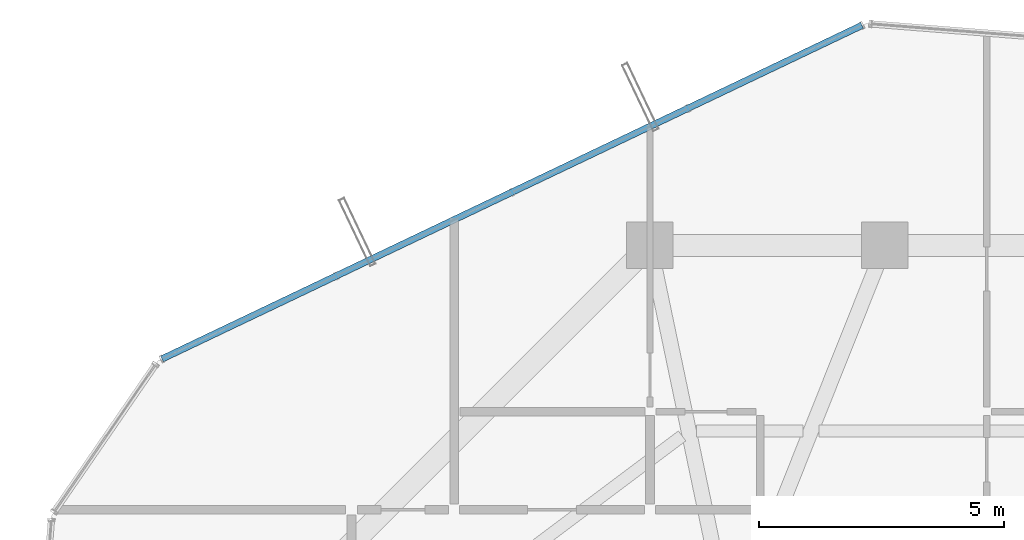
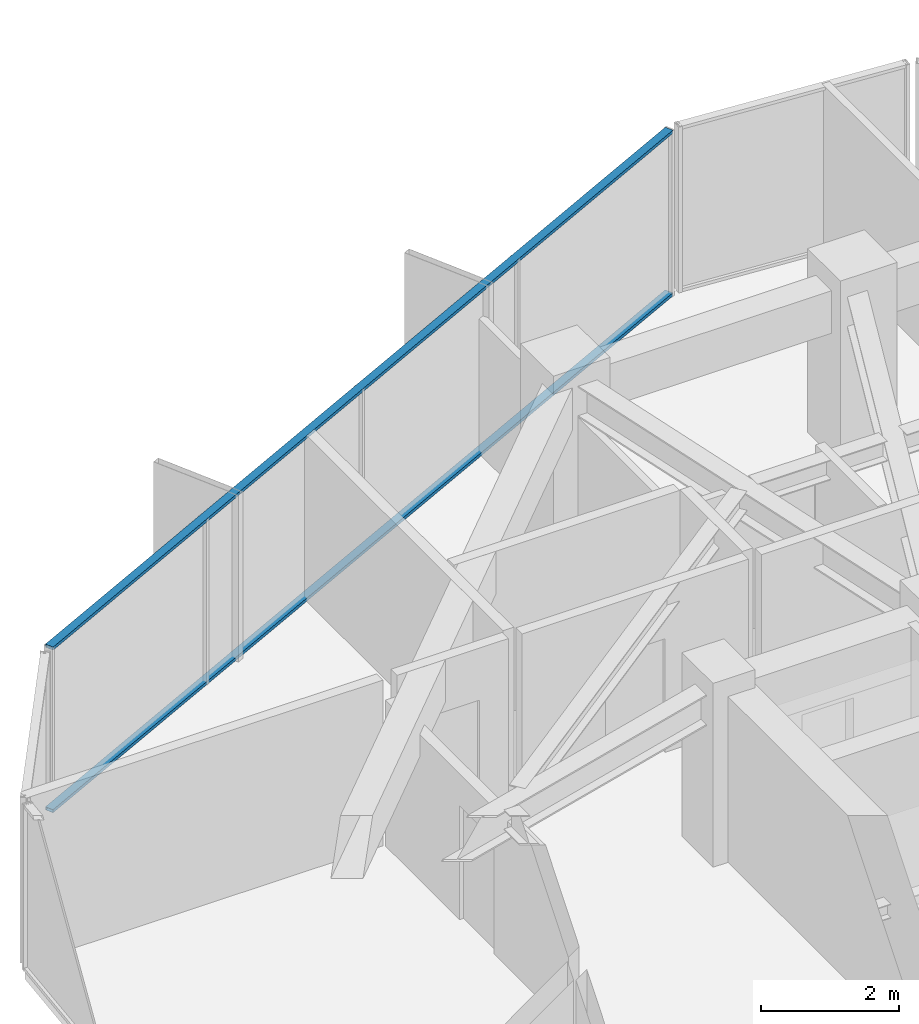
# One storey, part 19 of 29: 2 members, 1 element without a shape of its own.
"""IFC4 building model written with IfcOpenShell, lengths in metres."""

import ifcopenshell
import ifcopenshell.guid

model = None  # the IFC model being written
_history = None  # IfcOwnerHistory: only IFC2X3 demands one
_inside = {}  # id of a spatial element -> (the spatial element, [elements in it])
_under = {}  # id of a project, library or spatial element -> (it, [spatial elements below it])
_declared = {}  # id of a project -> (the project, [libraries it declares])
_typed = {}  # id of a type object -> (the type object, [elements of that type])
_made_of = {}  # id of a material, layer set ... -> (it, [elements and type objects made of it])


def new_model(schema):
    """Start an empty IFC model of exactly this schema.

    Asked for "IFC4X3", IfcOpenShell would pick the latest addendum, in which some entities
    have other attributes; the version numbers below select the first issue.
    IFC2X3 requires an IfcOwnerHistory on every rooted entity: one is made here for all.
    """
    global model, _history
    if schema == "IFC4X3":
        model = ifcopenshell.file(schema_version=(4, 3, 0, 0))
    else:
        model = ifcopenshell.file(schema=schema)
    _inside.clear()
    _under.clear()
    _declared.clear()
    _typed.clear()
    _made_of.clear()
    _history = None
    if model.schema == "IFC2X3":
        org = make("IfcOrganization", Name="unknown")
        user = make(
            "IfcPersonAndOrganization",
            ThePerson=make("IfcPerson", FamilyName="unknown"),
            TheOrganization=org,
        )
        app = make(
            "IfcApplication",
            ApplicationDeveloper=org,
            Version="unknown",
            ApplicationFullName="unknown",
            ApplicationIdentifier="unknown",
        )
        _history = make(
            "IfcOwnerHistory",
            OwningUser=user,
            OwningApplication=app,
            ChangeAction="ADDED",
            CreationDate=0,
        )
    return model


def make(cls, **values):
    """One entity of the class cls with the attributes given. An attribute that is None is left unset."""
    return model.create_entity(
        cls, **{name: value for name, value in values.items() if value is not None}
    )


def rooted(cls, **values):
    """An entity with a GlobalId (a new one), such as an element, a storey or a relation."""
    return make(cls, GlobalId=ifcopenshell.guid.new(), OwnerHistory=_history, **values)


def si_unit(unit_type, name, prefix=None):
    """IfcSIUnit, for example si_unit("LENGTHUNIT", "METRE", prefix="MILLI")."""
    return make("IfcSIUnit", UnitType=unit_type, Prefix=prefix, Name=name)


def assignment(units):
    """IfcUnitAssignment: the units of a project."""
    return None if units is None else make("IfcUnitAssignment", Units=units)


def point(xyz):
    """IfcCartesianPoint."""
    return None if xyz is None else make("IfcCartesianPoint", Coordinates=xyz)


def direction(xyz):
    """IfcDirection."""
    return None if xyz is None else make("IfcDirection", DirectionRatios=xyz)


def frame(location, z_axis=None, x_axis=None):
    """IfcAxis2Placement3D, a coordinate frame: its origin and axes. An axis left out is left unset."""
    return make(
        "IfcAxis2Placement3D",
        Location=point(location),
        Axis=direction(z_axis),
        RefDirection=direction(x_axis),
    )


def frame_2d(location, x_axis=None):
    """IfcAxis2Placement2D, a coordinate frame in the plane: its origin and x axis."""
    return make(
        "IfcAxis2Placement2D", Location=point(location), RefDirection=direction(x_axis)
    )


def origin():
    """The frame at (0, 0, 0) with its axes left unset."""
    return frame((0.0, 0.0, 0.0))


def origin_2d():
    """The frame at (0, 0) in the plane with its x axis left unset."""
    return frame_2d((0.0, 0.0))


def place(relative_to, where):
    """IfcLocalPlacement: puts the frame where relative to a parent placement (None: the world)."""
    return make(
        "IfcLocalPlacement", PlacementRelTo=relative_to, RelativePlacement=where
    )


def context(
    kind, dimensions, precision=None, world=None, true_north=None, identifier=None
):
    """IfcGeometricRepresentationContext, for example the 3D "Model" context."""
    return make(
        "IfcGeometricRepresentationContext",
        ContextIdentifier=identifier,
        ContextType=kind,
        CoordinateSpaceDimension=dimensions,
        Precision=precision,
        WorldCoordinateSystem=world,
        TrueNorth=true_north,
    )


def subcontext(parent, identifier, kind, view, scale=None):
    """IfcGeometricRepresentationSubContext, for example "Body" below "Model"."""
    return make(
        "IfcGeometricRepresentationSubContext",
        ContextIdentifier=identifier,
        ContextType=kind,
        ParentContext=parent,
        TargetScale=scale,
        TargetView=view,
    )


def project(units=None, contexts=None):
    """IfcProject with its units and contexts."""
    return rooted(
        "IfcProject",
        Name="project",
        RepresentationContexts=contexts,
        UnitsInContext=assignment(units),
    )


def spatial(cls, under=None, at=None, **own):
    """A site, building, storey or space (cls), placed at a placement, below another one or the project."""
    s = rooted(cls, ObjectPlacement=at, **own)
    if under is not None:
        _under.setdefault(under.id(), (under, []))[1].append(s)
    return s


def profile(cls, at=None, kind="AREA", **sizes):
    """A parametric profile (cls). Its sizes go by their IFC names, for example OverallWidth=200.0."""
    return make(cls, ProfileType=kind, Position=at, **sizes)


def hollow_rectangle(**sizes):
    """IfcRectangleHollowProfileDef."""
    return profile("IfcRectangleHollowProfileDef", **sizes)


def extrude(swept, where, along, depth):
    """IfcExtrudedAreaSolid: the profile swept, set in the frame where, extruded along a direction by depth."""
    return make(
        "IfcExtrudedAreaSolid",
        SweptArea=swept,
        Position=where,
        ExtrudedDirection=direction(along),
        Depth=depth,
    )


def shape(context_of_items, identifier, shape_type, items):
    """IfcShapeRepresentation: the items that make up one representation, for example the "Body"."""
    return make(
        "IfcShapeRepresentation",
        ContextOfItems=context_of_items,
        RepresentationIdentifier=identifier,
        RepresentationType=shape_type,
        Items=items,
    )


def source(mapping_origin, context_of_items, identifier, shape_type, items):
    """IfcRepresentationMap: a shape defined once, which mapped items show again and again."""
    return make(
        "IfcRepresentationMap",
        MappingOrigin=mapping_origin,
        MappedRepresentation=shape(context_of_items, identifier, shape_type, items),
    )


def transform(
    local_origin,
    x_axis=None,
    y_axis=None,
    z_axis=None,
    scale=None,
    scale2=None,
    scale3=None,
    uniform=True,
):
    """IfcCartesianTransformationOperator3D, or its non-uniform kind. x_axis, y_axis, z_axis: its Axis1, 2, 3."""
    if uniform:
        return make(
            "IfcCartesianTransformationOperator3D",
            Axis1=direction(x_axis),
            Axis2=direction(y_axis),
            LocalOrigin=point(local_origin),
            Scale=scale,
            Axis3=direction(z_axis),
        )
    return make(
        "IfcCartesianTransformationOperator3DnonUniform",
        Axis1=direction(x_axis),
        Axis2=direction(y_axis),
        LocalOrigin=point(local_origin),
        Scale=scale,
        Axis3=direction(z_axis),
        Scale2=scale2,
        Scale3=scale3,
    )


def mapped(mapping_source, mapping_target):
    """IfcMappedItem: shows the shape of a source again, moved by a transform."""
    return make(
        "IfcMappedItem", MappingSource=mapping_source, MappingTarget=mapping_target
    )


def material(Name=None, Category=None):
    """IfcMaterial."""
    return make("IfcMaterial", Name=Name, Category=Category)


def layer(
    of_material, thickness, ventilated=None, Name=None, Category=None, Priority=None
):
    """IfcMaterialLayer: one layer of a wall or slab, of a material (None: an air gap)."""
    return make(
        "IfcMaterialLayer",
        Material=of_material,
        LayerThickness=thickness,
        IsVentilated=ventilated,
        Name=Name,
        Category=Category,
        Priority=Priority,
    )


def layer_set(layers, Name=None):
    """IfcMaterialLayerSet."""
    return make("IfcMaterialLayerSet", MaterialLayers=layers, LayerSetName=Name)


def material_profile(
    of_material, cross_section, Name=None, Category=None, Priority=None
):
    """IfcMaterialProfile: a cross section and its material."""
    return make(
        "IfcMaterialProfile",
        Name=Name,
        Material=of_material,
        Profile=cross_section,
        Priority=Priority,
        Category=Category,
    )


def profile_set(profiles, Name=None, composite=None):
    """IfcMaterialProfileSet."""
    return make(
        "IfcMaterialProfileSet",
        Name=Name,
        MaterialProfiles=profiles,
        CompositeProfile=composite,
    )


def made_of(thing, what):
    """Note that an element or type object is made of a material, layer set ...; save() writes the relation."""
    if what is not None:
        _made_of.setdefault(what.id(), (what, []))[1].append(thing)
    return thing


def type_object(cls, material=None, **own):
    """A type object (cls), such as IfcWallType, which elements share."""
    return made_of(rooted(cls, **own), material)


def element(
    cls,
    number,
    at=None,
    inside=None,
    cuts=None,
    type_object=None,
    material=None,
    context=None,
    identifier="Body",
    shape_type=None,
    held_by="IfcProductDefinitionShape",
    body=None,
    shapes=None,
    **own,
):
    """One element of the class cls, such as IfcWall. Its Tag is "e" and its number.

    at: its placement. inside: the storey or other place that contains it. cuts: it is an
    opening in that element (IfcRelVoidsElement). A single representation is given by context,
    identifier, shape_type and body (its items); several are given by shapes. held_by: the class
    of the entity that holds the representations. save() writes the other relations.
    """
    e = rooted(cls, Tag="e%d" % number, ObjectPlacement=at, **own)
    if body is not None:
        shapes = [shape(context, identifier, shape_type, body)]
    if shapes is not None:
        e.Representation = make(held_by, Representations=shapes)
    if inside is not None:
        _inside.setdefault(inside.id(), (inside, []))[1].append(e)
    if cuts is not None:
        rooted(
            "IfcRelVoidsElement", RelatingBuildingElement=cuts, RelatedOpeningElement=e
        )
    if type_object is not None:
        _typed.setdefault(type_object.id(), (type_object, []))[1].append(e)
    return made_of(e, material)


def aggregate(whole, parts):
    """IfcRelAggregates: a whole, such as a stair, and the parts it consists of."""
    return rooted("IfcRelAggregates", RelatingObject=whole, RelatedObjects=parts)


def save(model, path):
    """Write the relations noted so far, then the file.

    IfcRelAggregates (storeys below a building ...), IfcRelContainedInSpatialStructure (elements
    in a storey), IfcRelDefinesByType, IfcRelAssociatesMaterial and IfcRelDeclares: one each for
    every whole, place, type object, material and project.
    """
    for whole, parts in _under.values():
        aggregate(whole, parts)
    for where, things in _inside.values():
        rooted(
            "IfcRelContainedInSpatialStructure",
            RelatedElements=things,
            RelatingStructure=where,
        )
    for kind, things in _typed.values():
        rooted("IfcRelDefinesByType", RelatedObjects=things, RelatingType=kind)
    for what, things in _made_of.values():
        rooted("IfcRelAssociatesMaterial", RelatedObjects=things, RelatingMaterial=what)
    for by, libraries in _declared.values():
        rooted("IfcRelDeclares", RelatingContext=by, RelatedDefinitions=libraries)
    model.write(path)


model = new_model("IFC4")

# Units and contexts
model_context = context("Model", 3, precision=1e-05, world=origin(), true_north=direction((0.0, 1.0)))
body_context = subcontext(model_context, "Body", "Model", "MODEL_VIEW")
ifc_project = project(units=[si_unit("LENGTHUNIT", "METRE"), si_unit("AREAUNIT", "SQUARE_METRE"), si_unit("VOLUMEUNIT", "CUBIC_METRE"), si_unit("PLANEANGLEUNIT", "RADIAN"), si_unit("MASSUNIT", "GRAM", prefix="KILO")], contexts=[model_context])

# Site, building, storey
site_placement = place(None, origin())
site = spatial("IfcSite", under=ifc_project, at=site_placement, CompositionType="ELEMENT")
building_placement = place(site_placement, origin())
building = spatial("IfcBuilding", under=site, at=building_placement, Name="Veraguas Prism Commons", CompositionType="ELEMENT")
storey_placement = place(building_placement, frame((0.0, 0.0, 222.14990234375)))
storey = spatial("IfcBuildingStorey", under=building, at=storey_placement, Name="L63", CompositionType="ELEMENT", Elevation=222.14990234375)

# Curtain wall, members
ifc_material = material(Name="Anodised aluminium EN AW-6063 T6", Category="aluminium")
ifc_layer = layer(ifc_material, 0.14990234375, Name="Unitised Flush Curtain Wall Zone 3", Category="aluminium")
ifc_layer_set = layer_set([ifc_layer], Name="Anodised aluminium EN AW-6063 T6")
curtain_wall_type = type_object("IfcCurtainWallType", Name="Unitised Flush Curtain Wall Zone 3", PredefinedType="NOTDEFINED", material=ifc_layer_set)
curtain_wall_placement = place(storey_placement, origin())
curtain_wall = element("IfcCurtainWall", 1, at=curtain_wall_placement, inside=storey, type_object=curtain_wall_type, Name="Tower Facade Curtain Wall L63-F2", PredefinedType="NOTDEFINED")
ifc_material_profile = material_profile(ifc_material, hollow_rectangle(XDim=0.054931640625, YDim=0.135009765625, WallThickness=0.0029296875, at=origin_2d()), Name="AL55X135X3")
ifc_profile_set = profile_set([ifc_material_profile], Name="Anodised aluminium EN AW-6063 T6")
member_type = type_object("IfcMemberType", Name="Curtain Wall Transom Standard AL 55x135x3", PredefinedType="USERDEFINED", material=ifc_profile_set)
shared_shape = source(origin(), body_context, "Body", "SweptSolid", [
    extrude(hollow_rectangle(XDim=0.054931640625, YDim=0.135009765625, WallThickness=0.0029296875, at=origin_2d()), origin(), (0.0, 0.0, 1.0), 15.84228515625),
])
member_1_placement = place(storey_placement, frame((23.53173828125, 43.395263671875, 0.027587890625), z_axis=(-0.902730582988, -0.430206339491, 0.0), x_axis=(0.0, 0.0, 1.0)))
member_1 = element("IfcMember", 2, at=member_1_placement, type_object=member_type, Name="CW-Z3 Transom 1", ObjectType="TRANSOM", PredefinedType="USERDEFINED", context=body_context, shape_type="MappedRepresentation", body=[
    mapped(shared_shape, transform((0.0, 0.0, 0.0), scale=1.0)),
])
member_2_placement = place(storey_placement, frame((23.53173828125, 43.395263671875, 2.902587890625), z_axis=(-0.902730582988, -0.430206339491, 0.0), x_axis=(0.0, 0.0, 1.0)))
member_2 = element("IfcMember", 3, at=member_2_placement, type_object=member_type, Name="CW-Z3 Transom 2", ObjectType="TRANSOM", PredefinedType="USERDEFINED", context=body_context, shape_type="MappedRepresentation", body=[
    mapped(shared_shape, transform((0.0, 0.0, 0.0), scale=1.0)),
])
aggregate(curtain_wall, [member_1, member_2])

save(model, "model.ifc")
